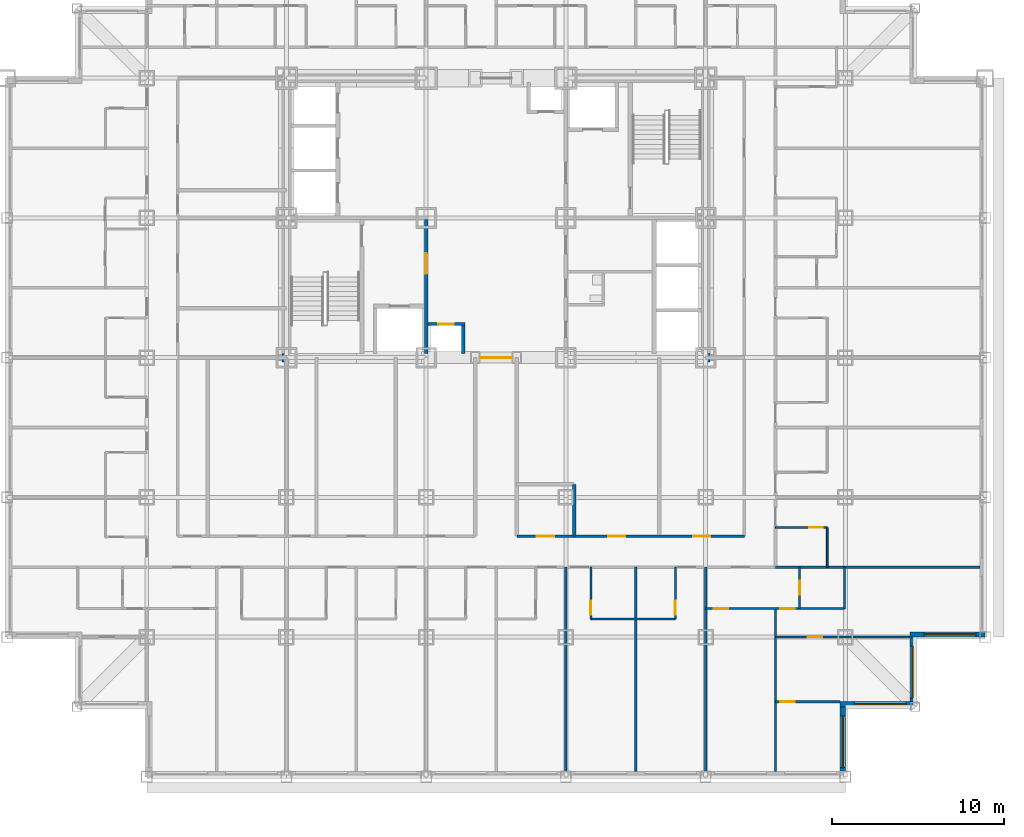
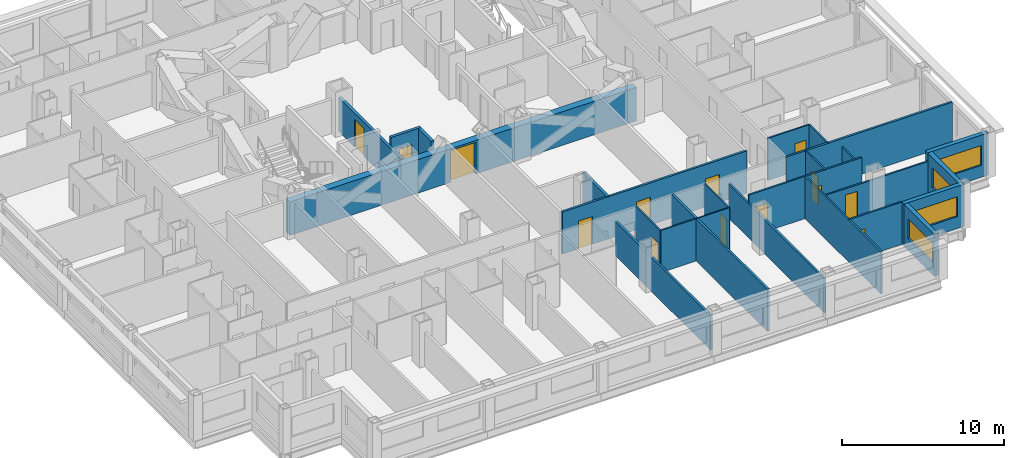
# One storey, part 6 of 13: 25 walls, 14 doors, 4 windows, 18 openings.
"""IFC4 building model written with IfcOpenShell, lengths in metres."""

from ifc_helpers import new_model, si_unit, direction, frame, frame_2d, origin, place, context, subcontext, project, spatial, rectangle, extrude, material, layer, layer_set, type_object, element, fill, save


model = new_model("IFC4")

# Units and contexts
model_context = context("Model", 3, precision=1e-05, world=origin(), true_north=direction((0.0, 1.0)))
body_context = subcontext(model_context, "Body", "Model", "MODEL_VIEW")
ifc_project = project(units=[si_unit("LENGTHUNIT", "METRE"), si_unit("AREAUNIT", "SQUARE_METRE"), si_unit("VOLUMEUNIT", "CUBIC_METRE"), si_unit("PLANEANGLEUNIT", "RADIAN"), si_unit("MASSUNIT", "GRAM", prefix="KILO")], contexts=[model_context])

# Site, building, storey
site_placement = place(None, origin())
site = spatial("IfcSite", under=ifc_project, at=site_placement, CompositionType="ELEMENT")
building_placement = place(site_placement, origin())
building = spatial("IfcBuilding", under=site, at=building_placement, Name="Kopane Lantern Tower", CompositionType="ELEMENT")
storey_placement = place(building_placement, frame((0.0, 0.0, 63.60009765625)))
storey = spatial("IfcBuildingStorey", under=building, at=storey_placement, Name="L15", CompositionType="ELEMENT", Elevation=63.60009765625)

# Wall, openings, doors
ifc_material_1 = material(Name="Gypsum board on steel studs", Category="steel")
ifc_layer_1 = layer(ifc_material_1, 0.1201171875)
ifc_layer_set_1 = layer_set([ifc_layer_1], Name="APARTMENT INTERNAL WALL 120")
wall_type_1 = type_object("IfcWallType", Name="APARTMENT INTERNAL WALL 120", PredefinedType="PARTITIONING", material=ifc_layer_set_1)
wall_1_placement = place(storey_placement, frame((40.5, 9.75, 0.0), z_axis=(0.0, 0.0, 1.0), x_axis=(1.0, 0.0, 0.0)))
wall_1 = element("IfcWall", 1, at=wall_1_placement, inside=storey, type_object=wall_type_1, Name="Apartment Internal Wall 120 L15", PredefinedType="PARTITIONING", context=body_context, shape_type="SweptSolid", body=[
    extrude(rectangle(XDim=8.050048828125, YDim=0.1201171875, at=frame_2d((4.02490234375, 0.0))), origin(), (0.0, 0.0, 1.0), 3.18994140625),
])
opening_1_placement = place(wall_1_placement, frame((0.47509765625, 0.0, 0.0)))
opening_1 = element("IfcOpeningElement", 2, at=opening_1_placement, cuts=wall_1, Name="Opening L15-073", PredefinedType="OPENING", context=body_context, shape_type="SweptSolid", body=[
    extrude(rectangle(XDim=0.85009765625, YDim=2.10009765625, at=frame_2d((0.425048828125, 1.050048828125))), frame((0.0, 0.070068359375, 0.0), z_axis=(0.0, -1.0, 0.0), x_axis=(1.0, 0.0, 0.0)), (0.0, 0.0, 1.0), 0.14013671875),
])
opening_2_placement = place(wall_1_placement, frame((4.324951171875, 0.0, 0.0)))
opening_2 = element("IfcOpeningElement", 3, at=opening_2_placement, cuts=wall_1, Name="Opening L15-075", PredefinedType="OPENING", context=body_context, shape_type="SweptSolid", body=[
    extrude(rectangle(XDim=0.85009765625, YDim=2.10009765625, at=frame_2d((0.425048828125, 1.050048828125))), frame((0.0, 0.070068359375, 0.0), z_axis=(0.0, -1.0, 0.0), x_axis=(1.0, 0.0, 0.0)), (0.0, 0.0, 1.0), 0.14013671875),
])
ifc_material_2 = material(Name="Timber door set", Category="wood")
door_type_1 = type_object("IfcDoorType", Name="DOOR D4 850x2100", OperationType="SINGLE_SWING_LEFT", PredefinedType="DOOR", material=ifc_material_2)
door_1_placement = place(opening_1_placement, origin())
door_1 = element("IfcDoor", 4, at=door_1_placement, inside=storey, type_object=door_type_1, Name="Door L15-073", OperationType="SINGLE_SWING_LEFT", OverallHeight=2.10009765625, OverallWidth=0.85009765625, PredefinedType="DOOR", context=body_context, shape_type="SweptSolid", body=[
    extrude(rectangle(XDim=0.85009765625, YDim=2.10009765625, at=frame_2d((0.425048828125, 1.050048828125))), frame((0.0, 0.02490234375, 0.0), z_axis=(0.0, -1.0, 0.0), x_axis=(1.0, 0.0, 0.0)), (0.0, 0.0, 1.0), 0.050048828125),
])
fill(opening_1, door_1)
door_2_placement = place(opening_2_placement, origin())
door_2 = element("IfcDoor", 5, at=door_2_placement, inside=storey, type_object=door_type_1, Name="Door L15-075", OperationType="SINGLE_SWING_RIGHT", OverallHeight=2.10009765625, OverallWidth=0.85009765625, PredefinedType="DOOR", context=body_context, shape_type="SweptSolid", body=[
    extrude(rectangle(XDim=0.85009765625, YDim=2.10009765625, at=frame_2d((0.425048828125, 1.050048828125))), frame((0.0, 0.02490234375, 0.0), z_axis=(0.0, -1.0, 0.0), x_axis=(1.0, 0.0, 0.0)), (0.0, 0.0, 1.0), 0.050048828125),
])
fill(opening_2, door_2)

# Wall
wall_2_placement = place(storey_placement, frame((44.550048828125, 9.75, 0.0), z_axis=(0.0, 0.0, 1.0), x_axis=(0.0, -1.0, 0.0)))
element("IfcWall", 6, at=wall_2_placement, inside=storey, type_object=wall_type_1, Name="Apartment Internal Wall 120 L15", PredefinedType="PARTITIONING", context=body_context, shape_type="SweptSolid", body=[
    extrude(rectangle(XDim=9.449951171875, YDim=0.1201171875, at=frame_2d((4.72509765625, 0.0))), origin(), (0.0, 0.0, 1.0), 3.18994140625),
])

# Wall, opening, door
wall_3_placement = place(storey_placement, frame((44.550048828125, 8.10009765625, 0.0), z_axis=(0.0, 0.0, 1.0), x_axis=(1.0, 0.0, 0.0)))
wall_3 = element("IfcWall", 7, at=wall_3_placement, inside=storey, type_object=wall_type_1, Name="Apartment Internal Wall 120 L15", PredefinedType="PARTITIONING", context=body_context, shape_type="SweptSolid", body=[
    extrude(rectangle(XDim=7.800048828125, YDim=0.1201171875, at=frame_2d((3.89990234375, 0.0))), origin(), (0.0, 0.0, 1.0), 2.57763671875),
])
opening_3_placement = place(wall_3_placement, frame((1.875, 0.0, 0.0)))
opening_3 = element("IfcOpeningElement", 8, at=opening_3_placement, cuts=wall_3, Name="Opening L15-076", PredefinedType="OPENING", context=body_context, shape_type="SweptSolid", body=[
    extrude(rectangle(XDim=0.85009765625, YDim=2.10009765625, at=frame_2d((0.425048828125, 1.050048828125))), frame((0.0, 0.070068359375, 0.0), z_axis=(0.0, -1.0, 0.0), x_axis=(1.0, 0.0, 0.0)), (0.0, 0.0, 1.0), 0.14013671875),
])
door_3_placement = place(opening_3_placement, origin())
door_3 = element("IfcDoor", 9, at=door_3_placement, inside=storey, type_object=door_type_1, Name="Door L15-076", OperationType="SINGLE_SWING_LEFT", OverallHeight=2.10009765625, OverallWidth=0.85009765625, PredefinedType="DOOR", context=body_context, shape_type="SweptSolid", body=[
    extrude(rectangle(XDim=0.85009765625, YDim=2.10009765625, at=frame_2d((0.425048828125, 1.050048828125))), frame((0.0, 0.02490234375, 0.0), z_axis=(0.0, -1.0, 0.0), x_axis=(1.0, 0.0, 0.0)), (0.0, 0.0, 1.0), 0.050048828125),
])
fill(opening_3, door_3)

wall_4_placement = place(storey_placement, frame((44.550048828125, 4.35009765625, 0.0), z_axis=(0.0, 0.0, 1.0), x_axis=(1.0, 0.0, 0.0)))
wall_4 = element("IfcWall", 10, at=wall_4_placement, inside=storey, type_object=wall_type_1, Name="Apartment Internal Wall 120 L15", PredefinedType="PARTITIONING", context=body_context, shape_type="SweptSolid", body=[
    extrude(rectangle(XDim=3.75, YDim=0.1201171875, at=frame_2d((1.875, 0.0))), origin(), (0.0, 0.0, 1.0), 3.18994140625),
])
opening_4_placement = place(wall_4_placement, frame((0.27490234375, 0.0, 0.0)))
opening_4 = element("IfcOpeningElement", 11, at=opening_4_placement, cuts=wall_4, Name="Opening L15-083", PredefinedType="OPENING", context=body_context, shape_type="SweptSolid", body=[
    extrude(rectangle(XDim=0.85009765625, YDim=2.10009765625, at=frame_2d((0.425048828125, 1.050048828125))), frame((0.0, 0.070068359375, 0.0), z_axis=(0.0, -1.0, 0.0), x_axis=(1.0, 0.0, 0.0)), (0.0, 0.0, 1.0), 0.14013671875),
])
door_4_placement = place(opening_4_placement, origin())
door_4 = element("IfcDoor", 12, at=door_4_placement, inside=storey, type_object=door_type_1, Name="Door L15-083", OperationType="SINGLE_SWING_RIGHT", OverallHeight=2.10009765625, OverallWidth=0.85009765625, PredefinedType="DOOR", context=body_context, shape_type="SweptSolid", body=[
    extrude(rectangle(XDim=0.85009765625, YDim=2.10009765625, at=frame_2d((0.425048828125, 1.050048828125))), frame((0.0, 0.02490234375, 0.0), z_axis=(0.0, -1.0, 0.0), x_axis=(1.0, 0.0, 0.0)), (0.0, 0.0, 1.0), 0.050048828125),
])
fill(opening_4, door_4)

# Wall
ifc_material_3 = material(Name="Moisture-resistant board on steel studs", Category="steel")
ifc_layer_2 = layer(ifc_material_3, 0.10009765625)
ifc_layer_set_2 = layer_set([ifc_layer_2], Name="BATHROOM WALL 100")
wall_type_2 = type_object("IfcWallType", Name="BATHROOM WALL 100", PredefinedType="PARTITIONING", material=ifc_layer_set_2)
wall_5_placement = place(storey_placement, frame((33.85009765625, 9.14990234375, 0.0), z_axis=(0.0, 0.0, 1.0), x_axis=(1.0, 0.0, 0.0)))
element("IfcWall", 13, at=wall_5_placement, inside=storey, type_object=wall_type_2, Name="Bathroom Wall 100 L15", PredefinedType="PARTITIONING", context=body_context, shape_type="SweptSolid", body=[
    extrude(rectangle(XDim=4.89990234375, YDim=0.10009765625, at=frame_2d((2.449951171875, 0.0))), origin(), (0.0, 0.0, 1.0), 3.18994140625),
])

# Wall, opening, door
wall_6_placement = place(storey_placement, frame((33.85009765625, 12.14990234375, 0.0), z_axis=(0.0, 0.0, 1.0), x_axis=(0.0, -1.0, 0.0)))
wall_6 = element("IfcWall", 14, at=wall_6_placement, inside=storey, type_object=wall_type_2, Name="Bathroom Wall 100 L15", PredefinedType="PARTITIONING", context=body_context, shape_type="SweptSolid", body=[
    extrude(rectangle(XDim=3.0, YDim=0.10009765625, at=frame_2d((1.5, 0.0))), origin(), (0.0, 0.0, 1.0), 3.18994140625),
])
opening_5_placement = place(wall_6_placement, frame((1.949951171875, 0.0, 0.0)))
opening_5 = element("IfcOpeningElement", 15, at=opening_5_placement, cuts=wall_6, Name="Opening L15-025", PredefinedType="OPENING", context=body_context, shape_type="SweptSolid", body=[
    extrude(rectangle(XDim=0.800048828125, YDim=2.10009765625, at=frame_2d((0.39990234375, 1.050048828125))), frame((0.0, 0.06005859375, 0.0), z_axis=(0.0, -1.0, 0.0), x_axis=(1.0, 0.0, 0.0)), (0.0, 0.0, 1.0), 0.1201171875),
])
ifc_material_4 = material(Name="Timber door set", Category="wood")
door_type_2 = type_object("IfcDoorType", Name="DOOR D2 800x2100", OperationType="SINGLE_SWING_LEFT", PredefinedType="DOOR", material=ifc_material_4)
door_5_placement = place(opening_5_placement, origin())
door_5 = element("IfcDoor", 16, at=door_5_placement, inside=storey, type_object=door_type_2, Name="Door L15-025", OperationType="SINGLE_SWING_RIGHT", OverallHeight=2.10009765625, OverallWidth=0.800048828125, PredefinedType="DOOR", context=body_context, shape_type="SweptSolid", body=[
    extrude(rectangle(XDim=0.800048828125, YDim=2.10009765625, at=frame_2d((0.39990234375, 1.050048828125))), frame((0.0, 0.02490234375, 0.0), z_axis=(0.0, -1.0, 0.0), x_axis=(1.0, 0.0, 0.0)), (0.0, 0.0, 1.0), 0.050048828125),
])
fill(opening_5, door_5)

wall_7_placement = place(storey_placement, frame((38.75, 12.14990234375, 0.0), z_axis=(0.0, 0.0, 1.0), x_axis=(0.0, -1.0, 0.0)))
wall_7 = element("IfcWall", 17, at=wall_7_placement, inside=storey, type_object=wall_type_2, Name="Bathroom Wall 100 L15", PredefinedType="PARTITIONING", context=body_context, shape_type="SweptSolid", body=[
    extrude(rectangle(XDim=3.0, YDim=0.10009765625, at=frame_2d((1.5, 0.0))), origin(), (0.0, 0.0, 1.0), 3.18994140625),
])
opening_6_placement = place(wall_7_placement, frame((1.949951171875, 0.0, 0.0)))
opening_6 = element("IfcOpeningElement", 18, at=opening_6_placement, cuts=wall_7, Name="Opening L15-027", PredefinedType="OPENING", context=body_context, shape_type="SweptSolid", body=[
    extrude(rectangle(XDim=0.800048828125, YDim=2.10009765625, at=frame_2d((0.39990234375, 1.050048828125))), frame((0.0, 0.06005859375, 0.0), z_axis=(0.0, -1.0, 0.0), x_axis=(1.0, 0.0, 0.0)), (0.0, 0.0, 1.0), 0.1201171875),
])
door_6_placement = place(opening_6_placement, origin())
door_6 = element("IfcDoor", 19, at=door_6_placement, inside=storey, type_object=door_type_2, Name="Door L15-027", OperationType="SINGLE_SWING_LEFT", OverallHeight=2.10009765625, OverallWidth=0.800048828125, PredefinedType="DOOR", context=body_context, shape_type="SweptSolid", body=[
    extrude(rectangle(XDim=0.800048828125, YDim=2.10009765625, at=frame_2d((0.39990234375, 1.050048828125))), frame((0.0, 0.02490234375, 0.0), z_axis=(0.0, -1.0, 0.0), x_axis=(1.0, 0.0, 0.0)), (0.0, 0.0, 1.0), 0.050048828125),
])
fill(opening_6, door_6)

# Wall
wall_8_placement = place(storey_placement, frame((47.550048828125, 12.14990234375, 0.0), z_axis=(0.0, 0.0, 1.0), x_axis=(0.0, 1.0, 0.0)))
element("IfcWall", 20, at=wall_8_placement, inside=storey, type_object=wall_type_2, Name="Bathroom Wall 100 L15", PredefinedType="PARTITIONING", context=body_context, shape_type="SweptSolid", body=[
    extrude(rectangle(XDim=2.300048828125, YDim=0.10009765625, at=frame_2d((1.14990234375, 0.0))), origin(), (0.0, 0.0, 1.0), 3.18994140625),
])

# Wall, opening, door
wall_9_placement = place(storey_placement, frame((44.550048828125, 14.449951171875, 0.0), z_axis=(0.0, 0.0, 1.0), x_axis=(1.0, 0.0, 0.0)))
wall_9 = element("IfcWall", 21, at=wall_9_placement, inside=storey, type_object=wall_type_2, Name="Bathroom Wall 100 L15", PredefinedType="PARTITIONING", context=body_context, shape_type="SweptSolid", body=[
    extrude(rectangle(XDim=3.0, YDim=0.10009765625, at=frame_2d((1.5, 0.0))), origin(), (0.0, 0.0, 1.0), 3.18994140625),
])
opening_7_placement = place(wall_9_placement, frame((1.949951171875, 0.0, 0.0)))
opening_7 = element("IfcOpeningElement", 22, at=opening_7_placement, cuts=wall_9, Name="Opening L15-054", PredefinedType="OPENING", context=body_context, shape_type="SweptSolid", body=[
    extrude(rectangle(XDim=0.800048828125, YDim=2.10009765625, at=frame_2d((0.39990234375, 1.050048828125))), frame((0.0, 0.06005859375, 0.0), z_axis=(0.0, -1.0, 0.0), x_axis=(1.0, 0.0, 0.0)), (0.0, 0.0, 1.0), 0.1201171875),
])
door_7_placement = place(opening_7_placement, origin())
door_7 = element("IfcDoor", 23, at=door_7_placement, inside=storey, type_object=door_type_2, Name="Door L15-054", OperationType="SINGLE_SWING_LEFT", OverallHeight=2.10009765625, OverallWidth=0.800048828125, PredefinedType="DOOR", context=body_context, shape_type="SweptSolid", body=[
    extrude(rectangle(XDim=0.800048828125, YDim=2.10009765625, at=frame_2d((0.39990234375, 1.050048828125))), frame((0.0, 0.02490234375, 0.0), z_axis=(0.0, -1.0, 0.0), x_axis=(1.0, 0.0, 0.0)), (0.0, 0.0, 1.0), 0.050048828125),
])
fill(opening_7, door_7)

wall_10_placement = place(storey_placement, frame((45.949951171875, 12.14990234375, 0.0), z_axis=(0.0, 0.0, 1.0), x_axis=(0.0, -1.0, 0.0)))
wall_10 = element("IfcWall", 24, at=wall_10_placement, inside=storey, type_object=wall_type_2, Name="Bathroom Wall 100 L15", PredefinedType="PARTITIONING", context=body_context, shape_type="SweptSolid", body=[
    extrude(rectangle(XDim=2.39990234375, YDim=0.10009765625, at=frame_2d((1.199951171875, 0.0))), origin(), (0.0, 0.0, 1.0), 3.18994140625),
])
opening_8_placement = place(wall_10_placement, frame((0.800048828125, 0.0, 0.0)))
opening_8 = element("IfcOpeningElement", 25, at=opening_8_placement, cuts=wall_10, Name="Opening L15-074", PredefinedType="OPENING", context=body_context, shape_type="SweptSolid", body=[
    extrude(rectangle(XDim=0.800048828125, YDim=2.10009765625, at=frame_2d((0.39990234375, 1.050048828125))), frame((0.0, 0.06005859375, 0.0), z_axis=(0.0, -1.0, 0.0), x_axis=(1.0, 0.0, 0.0)), (0.0, 0.0, 1.0), 0.1201171875),
])
door_8_placement = place(opening_8_placement, origin())
door_8 = element("IfcDoor", 26, at=door_8_placement, inside=storey, type_object=door_type_2, Name="Door L15-074", OperationType="SINGLE_SWING_LEFT", OverallHeight=2.10009765625, OverallWidth=0.800048828125, PredefinedType="DOOR", context=body_context, shape_type="SweptSolid", body=[
    extrude(rectangle(XDim=0.800048828125, YDim=2.10009765625, at=frame_2d((0.39990234375, 1.050048828125))), frame((0.0, 0.02490234375, 0.0), z_axis=(0.0, -1.0, 0.0), x_axis=(1.0, 0.0, 0.0)), (0.0, 0.0, 1.0), 0.050048828125),
])
fill(opening_8, door_8)

# Wall
wall_11_placement = place(storey_placement, frame((48.550048828125, 12.14990234375, 0.0), z_axis=(0.0, 0.0, 1.0), x_axis=(0.0, -1.0, 0.0)))
element("IfcWall", 27, at=wall_11_placement, inside=storey, type_object=wall_type_2, Name="Bathroom Wall 100 L15", PredefinedType="PARTITIONING", context=body_context, shape_type="SweptSolid", body=[
    extrude(rectangle(XDim=2.39990234375, YDim=0.10009765625, at=frame_2d((1.199951171875, 0.0))), origin(), (0.0, 0.0, 1.0), 2.57763671875),
])

# Wall, opening, door
ifc_material_5 = material(Name="Gypsum shaft wall EI 120", Category="gypsum")
ifc_layer_3 = layer(ifc_material_5, 0.5)
ifc_layer_set_3 = layer_set([ifc_layer_3], Name="CORE PERIMETER WALL 500 EI 120")
wall_type_3 = type_object("IfcWallType", Name="CORE PERIMETER WALL 500 EI 120", PredefinedType="SOLIDWALL", material=ifc_layer_set_3)
wall_12_placement = place(storey_placement, frame((15.949951171875, 24.300048828125, 0.0), z_axis=(0.0, 0.0, 1.0), x_axis=(1.0, 0.0, 0.0)))
wall_12 = element("IfcWall", 28, at=wall_12_placement, inside=storey, type_object=wall_type_3, Name="Core shaft wall L15 PS", PredefinedType="SOLIDWALL", context=body_context, shape_type="SweptSolid", body=[
    extrude(rectangle(XDim=24.800048828125, YDim=0.5, at=frame_2d((12.39990234375, 0.0))), origin(), (0.0, 0.0, 1.0), 2.539794921875),
])
opening_9_placement = place(wall_12_placement, frame((11.5, 0.0, 0.0)))
opening_9 = element("IfcOpeningElement", 29, at=opening_9_placement, cuts=wall_12, Name="Opening 15.CE-S", PredefinedType="OPENING", context=body_context, shape_type="SweptSolid", body=[
    extrude(rectangle(XDim=1.800048828125, YDim=2.39990234375, at=frame_2d((0.89990234375, 1.199951171875))), frame((0.0, 0.260009765625, 0.0), z_axis=(0.0, -1.0, 0.0), x_axis=(1.0, 0.0, 0.0)), (0.0, 0.0, 1.0), 0.52001953125),
])
ifc_material_6 = material(Name="Steel door set", Category="steel")
door_type_3 = type_object("IfcDoorType", Name="CORE ENTRY DOOR 1800x2400 FD60S", OperationType="DOUBLE_DOOR_SINGLE_SWING", PredefinedType="DOOR", material=ifc_material_6)
door_9_placement = place(opening_9_placement, origin())
door_9 = element("IfcDoor", 30, at=door_9_placement, inside=storey, type_object=door_type_3, Name="Core entry door L15 south", OperationType="DOUBLE_DOOR_SINGLE_SWING", OverallHeight=2.39990234375, OverallWidth=1.800048828125, PredefinedType="DOOR", context=body_context, shape_type="SweptSolid", body=[
    extrude(rectangle(XDim=1.800048828125, YDim=2.39990234375, at=frame_2d((0.89990234375, 1.199951171875))), frame((0.0, 0.02490234375, 0.0), z_axis=(0.0, -1.0, 0.0), x_axis=(1.0, 0.0, 0.0)), (0.0, 0.0, 1.0), 0.050048828125),
])
fill(opening_9, door_9)

# Wall, openings, doors
ifc_material_7 = material(Name="Gypsum board on steel studs", Category="steel")
ifc_layer_4 = layer(ifc_material_7, 0.14990234375)
ifc_layer_set_4 = layer_set([ifc_layer_4], Name="CORRIDOR WALL 150 EI 60")
wall_type_4 = type_object("IfcWallType", Name="CORRIDOR WALL 150 EI 60", PredefinedType="PARTITIONING", material=ifc_layer_set_4)
wall_13_placement = place(storey_placement, frame((29.56005859375, 13.949951171875, 0.0), z_axis=(0.0, 0.0, 1.0), x_axis=(1.0, 0.0, 0.0)))
wall_13 = element("IfcWall", 31, at=wall_13_placement, inside=storey, type_object=wall_type_4, Name="Corridor Wall 150 Ei 60 L15", PredefinedType="PARTITIONING", context=body_context, shape_type="SweptSolid", body=[
    extrude(rectangle(XDim=13.18994140625, YDim=0.14990234375, at=frame_2d((6.594970703125, 0.0))), origin(), (0.0, 0.0, 1.0), 3.18994140625),
])
opening_10_placement = place(wall_13_placement, frame((1.15673828125, 0.0, 0.0)))
opening_10 = element("IfcOpeningElement", 32, at=opening_10_placement, cuts=wall_13, Name="Opening L15-012", PredefinedType="OPENING", context=body_context, shape_type="SweptSolid", body=[
    extrude(rectangle(XDim=1.0, YDim=2.10009765625, at=frame_2d((0.5, 1.050048828125))), frame((0.0, 0.0849609375, 0.0), z_axis=(0.0, -1.0, 0.0), x_axis=(1.0, 0.0, 0.0)), (0.0, 0.0, 1.0), 0.169921875),
])
opening_11_placement = place(wall_13_placement, frame((5.2900390625, 0.0, 0.0)))
opening_11 = element("IfcOpeningElement", 33, at=opening_11_placement, cuts=wall_13, Name="Opening L15-013", PredefinedType="OPENING", context=body_context, shape_type="SweptSolid", body=[
    extrude(rectangle(XDim=1.0, YDim=2.10009765625, at=frame_2d((0.5, 1.050048828125))), frame((0.0, 0.0849609375, 0.0), z_axis=(0.0, -1.0, 0.0), x_axis=(1.0, 0.0, 0.0)), (0.0, 0.0, 1.0), 0.169921875),
])
opening_12_placement = place(wall_13_placement, frame((10.223388671875, 0.0, 0.0)))
opening_12 = element("IfcOpeningElement", 34, at=opening_12_placement, cuts=wall_13, Name="Opening L15-014", PredefinedType="OPENING", context=body_context, shape_type="SweptSolid", body=[
    extrude(rectangle(XDim=1.0, YDim=2.10009765625, at=frame_2d((0.5, 1.050048828125))), frame((0.0, 0.0849609375, 0.0), z_axis=(0.0, -1.0, 0.0), x_axis=(1.0, 0.0, 0.0)), (0.0, 0.0, 1.0), 0.169921875),
])
ifc_material_8 = material(Name="Steel door set", Category="steel")
door_type_4 = type_object("IfcDoorType", Name="DOOR D5 1000x2100 FD60", OperationType="SINGLE_SWING_LEFT", PredefinedType="DOOR", material=ifc_material_8)
door_10_placement = place(opening_10_placement, origin())
door_10 = element("IfcDoor", 35, at=door_10_placement, inside=storey, type_object=door_type_4, Name="Door L15-012", OperationType="SINGLE_SWING_LEFT", OverallHeight=2.10009765625, OverallWidth=1.0, PredefinedType="DOOR", context=body_context, shape_type="SweptSolid", body=[
    extrude(rectangle(XDim=1.0, YDim=2.10009765625, at=frame_2d((0.5, 1.050048828125))), frame((0.0, 0.02490234375, 0.0), z_axis=(0.0, -1.0, 0.0), x_axis=(1.0, 0.0, 0.0)), (0.0, 0.0, 1.0), 0.050048828125),
])
fill(opening_10, door_10)
door_11_placement = place(opening_11_placement, origin())
door_11 = element("IfcDoor", 36, at=door_11_placement, inside=storey, type_object=door_type_4, Name="Door L15-013", OperationType="SINGLE_SWING_RIGHT", OverallHeight=2.10009765625, OverallWidth=1.0, PredefinedType="DOOR", context=body_context, shape_type="SweptSolid", body=[
    extrude(rectangle(XDim=1.0, YDim=2.10009765625, at=frame_2d((0.5, 1.050048828125))), frame((0.0, 0.02490234375, 0.0), z_axis=(0.0, -1.0, 0.0), x_axis=(1.0, 0.0, 0.0)), (0.0, 0.0, 1.0), 0.050048828125),
])
fill(opening_11, door_11)
door_12_placement = place(opening_12_placement, origin())
door_12 = element("IfcDoor", 37, at=door_12_placement, inside=storey, type_object=door_type_4, Name="Door L15-014", OperationType="SINGLE_SWING_LEFT", OverallHeight=2.10009765625, OverallWidth=1.0, PredefinedType="DOOR", context=body_context, shape_type="SweptSolid", body=[
    extrude(rectangle(XDim=1.0, YDim=2.10009765625, at=frame_2d((0.5, 1.050048828125))), frame((0.0, 0.02490234375, 0.0), z_axis=(0.0, -1.0, 0.0), x_axis=(1.0, 0.0, 0.0)), (0.0, 0.0, 1.0), 0.050048828125),
])
fill(opening_12, door_12)

# Walls
ifc_material_9 = material(Name="Gypsum board on steel studs", Category="steel")
ifc_layer_5 = layer(ifc_material_9, 0.14990234375)
ifc_layer_set_5 = layer_set([ifc_layer_5], Name="DEMISING WALL 150 EI 60")
wall_type_5 = type_object("IfcWallType", Name="DEMISING WALL 150 EI 60", PredefinedType="PARTITIONING", material=ifc_layer_set_5)
wall_14_placement = place(storey_placement, frame((32.39990234375, 12.14990234375, 0.0), z_axis=(0.0, 0.0, 1.0), x_axis=(0.0, -1.0, 0.0)))
element("IfcWall", 38, at=wall_14_placement, inside=storey, type_object=wall_type_5, Name="Demising Wall 150 Ei 60 L15", PredefinedType="PARTITIONING", context=body_context, shape_type="SweptSolid", body=[
    extrude(rectangle(XDim=11.849853515625, YDim=0.14990234375, at=frame_2d((5.9248046875, 0.0))), origin(), (0.0, 0.0, 1.0), 2.57763671875),
])
for number, where, z_axis, x_axis, name in (
    (39, (36.449951171875, 12.14990234375, 0.0), (0.0, 0.0, 1.0), (0.0, -1.0, 0.0), "Demising Wall 150 Ei 60 L15"),
    (40, (44.550048828125, 12.14990234375, 0.0), (0.0, 0.0, 1.0), (1.0, 0.0, 0.0), "Demising Wall 150 Ei 60 L15"),
):
    element("IfcWall", number, at=place(storey_placement, frame(where, z_axis=z_axis, x_axis=x_axis)), inside=storey, type_object=wall_type_5, Name=name, PredefinedType="PARTITIONING", context=body_context, shape_type="SweptSolid", body=[
        extrude(rectangle(XDim=11.849853515625, YDim=0.14990234375, at=frame_2d((5.9248046875, 0.0))), origin(), (0.0, 0.0, 1.0), 3.18994140625),
    ])
wall_15_placement = place(storey_placement, frame((40.5, 12.14990234375, 0.0), z_axis=(0.0, 0.0, 1.0), x_axis=(0.0, -1.0, 0.0)))
element("IfcWall", 41, at=wall_15_placement, inside=storey, type_object=wall_type_5, Name="Demising Wall 150 Ei 60 L15", PredefinedType="PARTITIONING", context=body_context, shape_type="SweptSolid", body=[
    extrude(rectangle(XDim=11.849853515625, YDim=0.14990234375, at=frame_2d((5.9248046875, 0.0))), origin(), (0.0, 0.0, 1.0), 2.57763671875),
])

# Wall, opening, window
ifc_material_10 = material(Name="Terracotta rainscreen on light steel framing", Category="masonry")
ifc_layer_6 = layer(ifc_material_10, 0.300048828125)
ifc_layer_set_6 = layer_set([ifc_layer_6], Name="EXTERNAL WALL EW1 300 TERRACOTTA")
wall_type_6 = type_object("IfcWallType", Name="EXTERNAL WALL EW1 300 TERRACOTTA", PredefinedType="SOLIDWALL", material=ifc_layer_set_6)
wall_16_placement = place(storey_placement, frame((48.449951171875, 0.300048828125, 0.0), z_axis=(0.0, 0.0, 1.0), x_axis=(0.0, 1.0, 0.0)))
wall_16 = element("IfcWall", 42, at=wall_16_placement, inside=storey, type_object=wall_type_6, Name="External wall E L15", PredefinedType="SOLIDWALL", context=body_context, shape_type="SweptSolid", body=[
    extrude(rectangle(XDim=3.75, YDim=0.300048828125, at=frame_2d((1.875, 0.0))), origin(), (0.0, 0.0, 1.0), 3.18994140625),
])
opening_13_placement = place(wall_16_placement, frame((0.22509765625, 0.0, 0.89990234375)))
opening_13 = element("IfcOpeningElement", 43, at=opening_13_placement, cuts=wall_16, Name="Opening WR300150", PredefinedType="OPENING", context=body_context, shape_type="SweptSolid", body=[
    extrude(rectangle(XDim=3.0, YDim=1.5, at=frame_2d((1.5, 0.75))), frame((0.0, 0.159912109375, 0.0), z_axis=(0.0, -1.0, 0.0), x_axis=(1.0, 0.0, 0.0)), (0.0, 0.0, 1.0), 0.320068359375),
])
ifc_material_11 = material(Name="Aluminium and clear glass", Category="aluminium")
window_type = type_object("IfcWindowType", Name="RIBBON WINDOW WR300150 3000x1500", PartitioningType="SINGLE_PANEL", PredefinedType="WINDOW", material=ifc_material_11)
window_1_placement = place(opening_13_placement, origin())
window_1 = element("IfcWindow", 44, at=window_1_placement, inside=storey, type_object=window_type, Name="Window E L15", OverallHeight=1.5, OverallWidth=3.0, PartitioningType="SINGLE_PANEL", PredefinedType="WINDOW", context=body_context, shape_type="SweptSolid", body=[
    extrude(rectangle(XDim=3.0, YDim=1.5, at=frame_2d((1.5, 0.75))), frame((0.0, 0.030029296875, 0.0), z_axis=(0.0, -1.0, 0.0), x_axis=(1.0, 0.0, 0.0)), (0.0, 0.0, 1.0), 0.06005859375),
])
fill(opening_13, window_1)

wall_17_placement = place(storey_placement, frame((48.300048828125, 4.199951171875, 0.0), z_axis=(0.0, 0.0, 1.0), x_axis=(1.0, 0.0, 0.0)))
wall_17 = element("IfcWall", 45, at=wall_17_placement, inside=storey, type_object=wall_type_6, Name="External wall S L15", PredefinedType="SOLIDWALL", context=body_context, shape_type="SweptSolid", body=[
    extrude(rectangle(XDim=4.349853515625, YDim=0.300048828125, at=frame_2d((2.1748046875, 0.0))), origin(), (0.0, 0.0, 1.0), 3.18994140625),
])
opening_14_placement = place(wall_17_placement, frame((0.824951171875, 0.0, 0.89990234375)))
opening_14 = element("IfcOpeningElement", 46, at=opening_14_placement, cuts=wall_17, Name="Opening WR300150", PredefinedType="OPENING", context=body_context, shape_type="SweptSolid", body=[
    extrude(rectangle(XDim=3.0, YDim=1.5, at=frame_2d((1.5, 0.75))), frame((0.0, 0.159912109375, 0.0), z_axis=(0.0, -1.0, 0.0), x_axis=(1.0, 0.0, 0.0)), (0.0, 0.0, 1.0), 0.320068359375),
])
window_2_placement = place(opening_14_placement, origin())
window_2 = element("IfcWindow", 47, at=window_2_placement, inside=storey, type_object=window_type, Name="Window S L15", OverallHeight=1.5, OverallWidth=3.0, PartitioningType="SINGLE_PANEL", PredefinedType="WINDOW", context=body_context, shape_type="SweptSolid", body=[
    extrude(rectangle(XDim=3.0, YDim=1.5, at=frame_2d((1.5, 0.75))), frame((0.0, 0.030029296875, 0.0), z_axis=(0.0, -1.0, 0.0), x_axis=(1.0, 0.0, 0.0)), (0.0, 0.0, 1.0), 0.06005859375),
])
fill(opening_14, window_2)

wall_18_placement = place(storey_placement, frame((52.5, 4.35009765625, 0.0), z_axis=(0.0, 0.0, 1.0), x_axis=(0.0, 1.0, 0.0)))
wall_18 = element("IfcWall", 48, at=wall_18_placement, inside=storey, type_object=wall_type_6, Name="External wall E L15", PredefinedType="SOLIDWALL", context=body_context, shape_type="SweptSolid", body=[
    extrude(rectangle(XDim=3.75, YDim=0.300048828125, at=frame_2d((1.875, 0.0))), origin(), (0.0, 0.0, 1.0), 3.18994140625),
])
opening_15_placement = place(wall_18_placement, frame((0.22509765625, 0.0, 0.89990234375)))
opening_15 = element("IfcOpeningElement", 49, at=opening_15_placement, cuts=wall_18, Name="Opening WR300150", PredefinedType="OPENING", context=body_context, shape_type="SweptSolid", body=[
    extrude(rectangle(XDim=3.0, YDim=1.5, at=frame_2d((1.5, 0.75))), frame((0.0, 0.159912109375, 0.0), z_axis=(0.0, -1.0, 0.0), x_axis=(1.0, 0.0, 0.0)), (0.0, 0.0, 1.0), 0.320068359375),
])
window_3_placement = place(opening_15_placement, origin())
window_3 = element("IfcWindow", 50, at=window_3_placement, inside=storey, type_object=window_type, Name="Window E L15", OverallHeight=1.5, OverallWidth=3.0, PartitioningType="SINGLE_PANEL", PredefinedType="WINDOW", context=body_context, shape_type="SweptSolid", body=[
    extrude(rectangle(XDim=3.0, YDim=1.5, at=frame_2d((1.5, 0.75))), frame((0.0, 0.030029296875, 0.0), z_axis=(0.0, -1.0, 0.0), x_axis=(1.0, 0.0, 0.0)), (0.0, 0.0, 1.0), 0.06005859375),
])
fill(opening_15, window_3)

wall_19_placement = place(storey_placement, frame((52.35009765625, 8.25, 0.0), z_axis=(0.0, 0.0, 1.0), x_axis=(1.0, 0.0, 0.0)))
wall_19 = element("IfcWall", 51, at=wall_19_placement, inside=storey, type_object=wall_type_6, Name="External wall S L15", PredefinedType="SOLIDWALL", context=body_context, shape_type="SweptSolid", body=[
    extrude(rectangle(XDim=4.349853515625, YDim=0.300048828125, at=frame_2d((2.1748046875, 0.0))), origin(), (0.0, 0.0, 1.0), 3.18994140625),
])
opening_16_placement = place(wall_19_placement, frame((0.824951171875, 0.0, 0.89990234375)))
opening_16 = element("IfcOpeningElement", 52, at=opening_16_placement, cuts=wall_19, Name="Opening WR300150", PredefinedType="OPENING", context=body_context, shape_type="SweptSolid", body=[
    extrude(rectangle(XDim=3.0, YDim=1.5, at=frame_2d((1.5, 0.75))), frame((0.0, 0.159912109375, 0.0), z_axis=(0.0, -1.0, 0.0), x_axis=(1.0, 0.0, 0.0)), (0.0, 0.0, 1.0), 0.320068359375),
])
window_4_placement = place(opening_16_placement, origin())
window_4 = element("IfcWindow", 53, at=window_4_placement, inside=storey, type_object=window_type, Name="Window S L15", OverallHeight=1.5, OverallWidth=3.0, PartitioningType="SINGLE_PANEL", PredefinedType="WINDOW", context=body_context, shape_type="SweptSolid", body=[
    extrude(rectangle(XDim=3.0, YDim=1.5, at=frame_2d((1.5, 0.75))), frame((0.0, 0.030029296875, 0.0), z_axis=(0.0, -1.0, 0.0), x_axis=(1.0, 0.0, 0.0)), (0.0, 0.0, 1.0), 0.06005859375),
])
fill(opening_16, window_4)

# Wall
ifc_material_12 = material(Name="Concrete masonry", Category="masonry")
ifc_layer_7 = layer(ifc_material_12, 0.199951171875)
ifc_layer_set_7 = layer_set([ifc_layer_7], Name="PLANT ROOM WALL 200 EI 120")
wall_type_7 = type_object("IfcWallType", Name="PLANT ROOM WALL 200 EI 120", PredefinedType="SOLIDWALL", material=ifc_layer_set_7)
wall_20_placement = place(storey_placement, frame((32.88330078125, 13.949951171875, 0.0), z_axis=(0.0, 0.0, 1.0), x_axis=(0.0, 1.0, 0.0)))
element("IfcWall", 54, at=wall_20_placement, inside=storey, type_object=wall_type_7, Name="Plant Room Wall 200 Ei 120 L15", PredefinedType="SOLIDWALL", context=body_context, shape_type="SweptSolid", body=[
    extrude(rectangle(XDim=3.0, YDim=0.199951171875, at=frame_2d((1.5, 0.0))), origin(), (0.0, 0.0, 1.0), 3.18994140625),
])

# Wall, opening, door
ifc_material_13 = material(Name="Gypsum shaft wall EI 120", Category="gypsum")
ifc_layer_8 = layer(ifc_material_13, 0.199951171875)
ifc_layer_set_8 = layer_set([ifc_layer_8], Name="SHAFT WALL 200 EI 120")
wall_type_8 = type_object("IfcWallType", Name="SHAFT WALL 200 EI 120", PredefinedType="SOLIDWALL", material=ifc_layer_set_8)
wall_21_placement = place(storey_placement, frame((24.300048828125, 24.550048828125, 0.0), z_axis=(0.0, 0.0, 1.0), x_axis=(0.0, 1.0, 0.0)))
wall_21 = element("IfcWall", 55, at=wall_21_placement, inside=storey, type_object=wall_type_8, Name="Core shaft wall L15 X243", PredefinedType="SOLIDWALL", context=body_context, shape_type="SweptSolid", body=[
    extrude(rectangle(XDim=7.75, YDim=0.199951171875, at=frame_2d((3.875, 0.0))), origin(), (0.0, 0.0, 1.0), 2.57763671875),
])
opening_17_placement = place(wall_21_placement, frame((4.60009765625, 0.0, 0.0)))
opening_17 = element("IfcOpeningElement", 56, at=opening_17_placement, cuts=wall_21, Name="Opening 15.FL1", PredefinedType="OPENING", context=body_context, shape_type="SweptSolid", body=[
    extrude(rectangle(XDim=1.199951171875, YDim=2.10009765625, at=frame_2d((0.60009765625, 1.050048828125))), frame((0.0, 0.10986328125, 0.0), z_axis=(0.0, -1.0, 0.0), x_axis=(1.0, 0.0, 0.0)), (0.0, 0.0, 1.0), 0.219970703125),
])
ifc_material_14 = material(Name="Steel door set", Category="steel")
door_type_5 = type_object("IfcDoorType", Name="FIREFIGHTING LOBBY DOOR 1200x2100 FD60S", OperationType="SINGLE_SWING_RIGHT", PredefinedType="DOOR", material=ifc_material_14)
door_13_placement = place(opening_17_placement, origin())
door_13 = element("IfcDoor", 57, at=door_13_placement, inside=storey, type_object=door_type_5, Name="Firefighting lobby door FL1 L15", OperationType="SINGLE_SWING_LEFT", OverallHeight=2.10009765625, OverallWidth=1.199951171875, PredefinedType="DOOR", context=body_context, shape_type="SweptSolid", body=[
    extrude(rectangle(XDim=1.199951171875, YDim=2.10009765625, at=frame_2d((0.60009765625, 1.050048828125))), frame((0.0, 0.02490234375, 0.0), z_axis=(0.0, -1.0, 0.0), x_axis=(1.0, 0.0, 0.0)), (0.0, 0.0, 1.0), 0.050048828125),
])
fill(opening_17, door_13)

# Wall
wall_22_placement = place(storey_placement, frame((26.449951171875, 24.550048828125, 0.0), z_axis=(0.0, 0.0, 1.0), x_axis=(0.0, 1.0, 0.0)))
element("IfcWall", 58, at=wall_22_placement, inside=storey, type_object=wall_type_8, Name="Core shaft wall L15 XRS1", PredefinedType="SOLIDWALL", context=body_context, shape_type="SweptSolid", body=[
    extrude(rectangle(XDim=1.599853515625, YDim=0.199951171875, at=frame_2d((0.7998046875, 0.0))), origin(), (0.0, 0.0, 1.0), 3.18994140625),
])

# Wall, opening, door
wall_23_placement = place(storey_placement, frame((24.39990234375, 26.25, 0.0), z_axis=(0.0, 0.0, 1.0), x_axis=(1.0, 0.0, 0.0)))
wall_23 = element("IfcWall", 59, at=wall_23_placement, inside=storey, type_object=wall_type_8, Name="Core shaft wall L15 YRS1", PredefinedType="SOLIDWALL", context=body_context, shape_type="SweptSolid", body=[
    extrude(rectangle(XDim=2.150146484375, YDim=0.199951171875, at=frame_2d((1.0751953125, 0.0))), origin(), (0.0, 0.0, 1.0), 3.18994140625),
])
opening_18_placement = place(wall_23_placement, frame((0.60009765625, 0.0, 0.0)))
opening_18 = element("IfcOpeningElement", 60, at=opening_18_placement, cuts=wall_23, Name="Opening 15.RS1", PredefinedType="OPENING", context=body_context, shape_type="SweptSolid", body=[
    extrude(rectangle(XDim=0.89990234375, YDim=2.10009765625, at=frame_2d((0.449951171875, 1.050048828125))), frame((0.0, 0.10986328125, 0.0), z_axis=(0.0, -1.0, 0.0), x_axis=(1.0, 0.0, 0.0)), (0.0, 0.0, 1.0), 0.219970703125),
])
ifc_material_15 = material(Name="Steel door set", Category="steel")
door_type_6 = type_object("IfcDoorType", Name="RISER ACCESS DOOR 900x2100 FD60", OperationType="SINGLE_SWING_LEFT", PredefinedType="DOOR", material=ifc_material_15)
door_14_placement = place(opening_18_placement, origin())
door_14 = element("IfcDoor", 61, at=door_14_placement, inside=storey, type_object=door_type_6, Name="Riser access door RS1 L15", OperationType="SINGLE_SWING_LEFT", OverallHeight=2.10009765625, OverallWidth=0.89990234375, PredefinedType="DOOR", context=body_context, shape_type="SweptSolid", body=[
    extrude(rectangle(XDim=0.89990234375, YDim=2.10009765625, at=frame_2d((0.449951171875, 1.050048828125))), frame((0.0, 0.02490234375, 0.0), z_axis=(0.0, -1.0, 0.0), x_axis=(1.0, 0.0, 0.0)), (0.0, 0.0, 1.0), 0.050048828125),
])
fill(opening_18, door_14)

save(model, "model.ifc")
